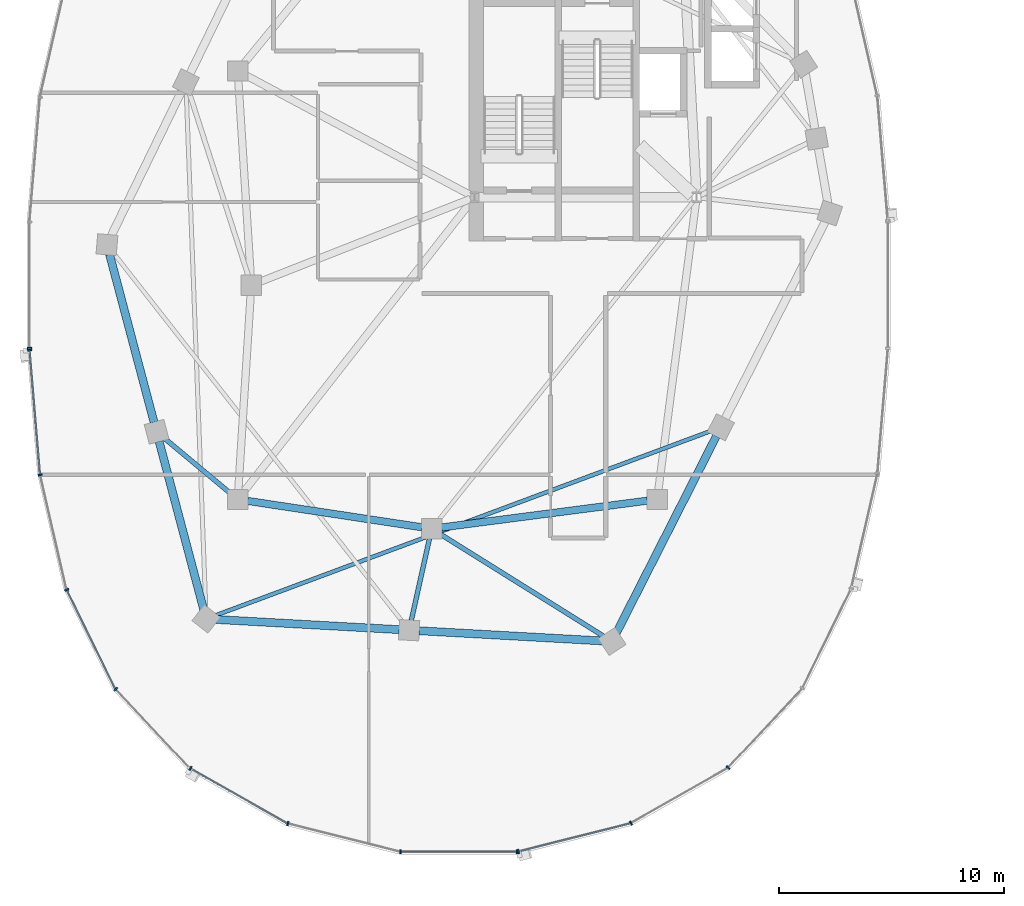
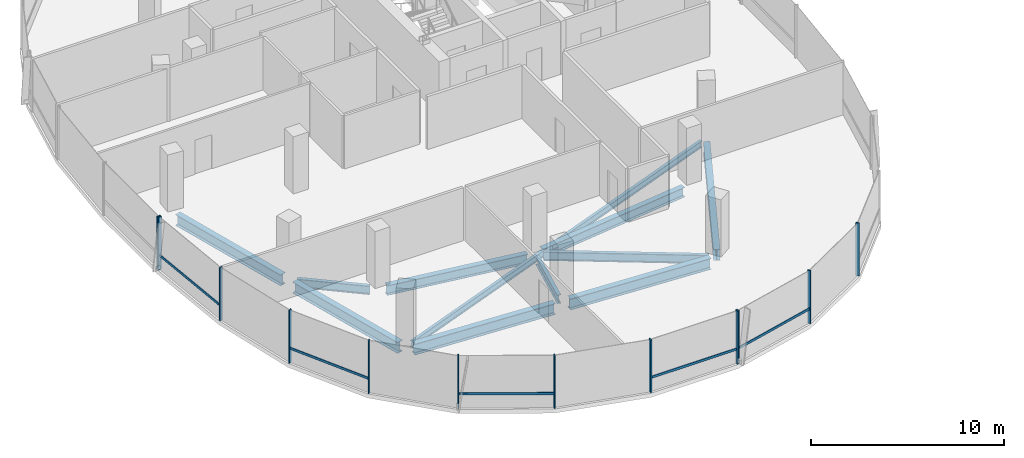
# One storey, part 3 of 25: 17 members, 11 beams, 3 elements without a shape of their own.
"""IFC4 building model written with IfcOpenShell, lengths in metres."""

from ifc_helpers import new_model, si_unit, direction, frame, origin, origin_2d, place, context, subcontext, project, spatial, rectangle, i_section, extrude, material, material_profile, profile_set, type_object, element, aggregate, save


model = new_model("IFC4")

# Units and contexts
model_context = context("Model", 3, precision=1e-05, world=origin(), true_north=direction((0.0, 1.0)))
body_context = subcontext(model_context, "Body", "Model", "MODEL_VIEW")
ifc_project = project(units=[si_unit("LENGTHUNIT", "METRE"), si_unit("AREAUNIT", "SQUARE_METRE"), si_unit("VOLUMEUNIT", "CUBIC_METRE"), si_unit("PLANEANGLEUNIT", "RADIAN"), si_unit("MASSUNIT", "GRAM", prefix="KILO"), si_unit("THERMODYNAMICTEMPERATUREUNIT", "KELVIN"), si_unit("POWERUNIT", "WATT")], contexts=[model_context])

# Site, building, storey
site_placement = place(None, origin())
site = spatial("IfcSite", under=ifc_project, at=site_placement, CompositionType="ELEMENT")
building_placement = place(site_placement, origin())
building = spatial("IfcBuilding", under=site, at=building_placement, Name="Cundina Bronze Exchange", CompositionType="ELEMENT")
storey_placement = place(building_placement, frame((0.0, 0.0, 206.199951171875)))
storey = spatial("IfcBuildingStorey", under=building, at=storey_placement, Name="L54", CompositionType="ELEMENT", Elevation=206.199951171875)

# Beams
ifc_material_1 = material(Name="Steel ASTM A992 Grade 50", Category="steel")
ifc_material_profile_1 = material_profile(ifc_material_1, i_section(OverallWidth=0.2119140625, OverallDepth=0.5439453125, WebThickness=0.01318359375, FlangeThickness=0.021240234375, FilletRadius=0.013916015625, at=origin_2d()), Name="W21X83", Category="steel")
ifc_profile_set_1 = profile_set([ifc_material_profile_1], Name="Steel ASTM A992 Grade 50")
beam_type_1 = type_object("IfcBeamType", Name="BM-FLR-W21A", PredefinedType="BEAM", material=ifc_profile_set_1)
beam_1_placement = place(storey_placement, frame((-42.136474609375, -9.219482421875, -0.531982421875), z_axis=(-0.768247540987, 0.640152884683, 0.0), x_axis=(-0.640152884683, -0.768247540987, 0.0)))
element("IfcBeam", 1, at=beam_1_placement, inside=storey, type_object=beam_type_1, Name="L54 Leg W Radial Floor Beam 09", PredefinedType="BEAM", context=body_context, shape_type="SweptSolid", body=[
    extrude(i_section(OverallWidth=0.2119140625, OverallDepth=0.5439453125, WebThickness=0.01318359375, FlangeThickness=0.021240234375, FilletRadius=0.013916015625, at=origin_2d()), origin(), (0.0, 0.0, 1.0), 3.81005859375),
])
beam_2_placement = place(storey_placement, frame((-33.294921875, -11.2275390625, -0.531982421875), z_axis=(-0.216958151571, -0.976180905605, 0.0), x_axis=(0.976180905605, -0.216958151571, 0.0)))
element("IfcBeam", 2, at=beam_2_placement, inside=storey, type_object=beam_type_1, Name="L54 Leg W Radial Floor Beam 11", PredefinedType="BEAM", context=body_context, shape_type="SweptSolid", body=[
    extrude(i_section(OverallWidth=0.2119140625, OverallDepth=0.5439453125, WebThickness=0.01318359375, FlangeThickness=0.021240234375, FilletRadius=0.013916015625, at=origin_2d()), origin(), (0.0, 0.0, 1.0), 3.733642578125),
])
beam_3_placement = place(storey_placement, frame((-32.82861328125, -11.031982421875, -0.531982421875), z_axis=(0.847995098703, -0.530004068452, 0.0), x_axis=(0.530004068452, 0.847995098703, 0.0)))
element("IfcBeam", 3, at=beam_3_placement, inside=storey, type_object=beam_type_1, Name="L54 Leg W Radial Floor Beam 12", PredefinedType="BEAM", context=body_context, shape_type="SweptSolid", body=[
    extrude(i_section(OverallWidth=0.2119140625, OverallDepth=0.5439453125, WebThickness=0.01318359375, FlangeThickness=0.021240234375, FilletRadius=0.013916015625, at=origin_2d()), origin(), (0.0, 0.0, 1.0), 8.55810546875),
])
ifc_material_profile_2 = material_profile(ifc_material_1, i_section(OverallWidth=0.178955078125, OverallDepth=0.409912109375, WebThickness=0.0087890625, FlangeThickness=0.014404296875, FilletRadius=0.010986328125, at=origin_2d()), Name="W16X45", Category="steel")
ifc_profile_set_2 = profile_set([ifc_material_profile_2], Name="Steel ASTM A992 Grade 50")
beam_type_2 = type_object("IfcBeamType", Name="BM-JST-W16", PredefinedType="JOIST", material=ifc_profile_set_2)
beam_4_placement = place(storey_placement, frame((-42.78955078125, -14.647216796875, -0.46484375), z_axis=(0.937127927239, 0.348986028358, 0.0), x_axis=(-0.348986028358, 0.937127927239, 0.0)))
element("IfcBeam", 4, at=beam_4_placement, inside=storey, type_object=beam_type_2, Name="L54 Leg W Lobe Floor Joist 10-13", PredefinedType="JOIST", context=body_context, shape_type="SweptSolid", body=[
    extrude(i_section(OverallWidth=0.178955078125, OverallDepth=0.409912109375, WebThickness=0.0087890625, FlangeThickness=0.014404296875, FilletRadius=0.010986328125, at=origin_2d()), origin(), (0.0, 0.0, 1.0), 23.48046875),
])
ifc_material_profile_3 = material_profile(ifc_material_1, i_section(OverallWidth=0.324951171875, OverallDepth=0.615966796875, WebThickness=0.013916015625, FlangeThickness=0.021484375, FilletRadius=0.01611328125, at=origin_2d()), Name="W24X117", Category="steel")
ifc_profile_set_3 = profile_set([ifc_material_profile_3], Name="Steel ASTM A992 Grade 50")
beam_type_3 = type_object("IfcBeamType", Name="BM-RING-W24", PredefinedType="USERDEFINED", material=ifc_profile_set_3)
beam_5_placement = place(storey_placement, frame((-41.366943359375, -9.5654296875, -0.56787109375), z_axis=(0.988764903598, -0.149478979839, 0.0), x_axis=(0.149478979839, 0.988764903598, 0.0)))
element("IfcBeam", 5, at=beam_5_placement, inside=storey, type_object=beam_type_3, Name="L54 W Inner Structural Ring Girder 05", ObjectType="GIRDER", PredefinedType="USERDEFINED", context=body_context, shape_type="SweptSolid", body=[
    extrude(i_section(OverallWidth=0.324951171875, OverallDepth=0.615966796875, WebThickness=0.013916015625, FlangeThickness=0.021484375, FilletRadius=0.01611328125, at=origin_2d()), origin(), (0.0, 0.0, 1.0), 7.82177734375),
])
beam_6_placement = place(storey_placement, frame((-32.765625, -10.743408203125, -0.56787109375), z_axis=(0.991656498582, 0.128908451316, 0.0), x_axis=(-0.128908451316, 0.991656498582, 0.0)))
element("IfcBeam", 6, at=beam_6_placement, inside=storey, type_object=beam_type_3, Name="L54 W Inner Structural Ring Girder 06", ObjectType="GIRDER", PredefinedType="USERDEFINED", context=body_context, shape_type="SweptSolid", body=[
    extrude(i_section(OverallWidth=0.324951171875, OverallDepth=0.615966796875, WebThickness=0.013916015625, FlangeThickness=0.021484375, FilletRadius=0.01611328125, at=origin_2d()), origin(), (0.0, 0.0, 1.0), 9.208251953125),
])
ifc_material_profile_4 = material_profile(ifc_material_1, i_section(OverallWidth=0.35498046875, OverallDepth=0.695068359375, WebThickness=0.015380859375, FlangeThickness=0.02490234375, FilletRadius=0.01806640625, at=origin_2d()), Name="W27X146", Category="steel")
ifc_profile_set_4 = profile_set([ifc_material_profile_4], Name="Steel ASTM A992 Grade 50")
beam_type_4 = type_object("IfcBeamType", Name="BM-RING-W27", PredefinedType="USERDEFINED", material=ifc_profile_set_4)
for number, where, z_axis, x_axis, name in (
    (7, (-47.48779296875, 1.376708984375, -0.607421875), (0.256211934474, -0.966620631185, 0.0), (0.966620631185, 0.256211934474, 0.0), "L54 W Perimeter Ring Girder 08"),
    (8, (-45.287841796875, -6.92333984375, -0.607421875), (0.256211934474, -0.966620631185, 0.0), (0.966620631185, 0.256211934474, 0.0), "L54 W Perimeter Ring Girder 09"),
):
    element("IfcBeam", number, at=place(storey_placement, frame(where, z_axis=z_axis, x_axis=x_axis)), inside=storey, type_object=beam_type_4, Name=name, ObjectType="GIRDER", PredefinedType="USERDEFINED", context=body_context, shape_type="SweptSolid", body=[
        extrude(i_section(OverallWidth=0.35498046875, OverallDepth=0.695068359375, WebThickness=0.015380859375, FlangeThickness=0.02490234375, FilletRadius=0.01806640625, at=origin_2d()), origin(), (0.0, 0.0, 1.0), 7.710693359375),
    ])
for number, where, z_axis, x_axis, name in (
    (9, (-42.7626953125, -14.82421875, -0.607421875), (0.998460353205, -0.055470019623, 0.0), (0.055470019623, 0.998460353205, 0.0), "L54 W Perimeter Ring Girder 10"),
    (10, (-33.7626953125, -15.32421875, -0.607421875), (0.998460353205, -0.055470019623, 0.0), (0.055470019623, 0.998460353205, 0.0), "L54 W Perimeter Ring Girder 11"),
):
    element("IfcBeam", number, at=place(storey_placement, frame(where, z_axis=z_axis, x_axis=x_axis)), inside=storey, type_object=beam_type_4, Name=name, ObjectType="GIRDER", PredefinedType="USERDEFINED", context=body_context, shape_type="SweptSolid", body=[
        extrude(i_section(OverallWidth=0.35498046875, OverallDepth=0.695068359375, WebThickness=0.015380859375, FlangeThickness=0.02490234375, FilletRadius=0.01806640625, at=origin_2d()), origin(), (0.0, 0.0, 1.0), 8.137939453125),
    ])
beam_7_placement = place(storey_placement, frame((-25.001708984375, -15.409423828125, -0.607421875), z_axis=(0.452846871434, 0.891588308039, 0.0), x_axis=(-0.891588308039, 0.452846871434, 0.0)))
element("IfcBeam", 11, at=beam_7_placement, inside=storey, type_object=beam_type_4, Name="L54 W Perimeter Ring Girder 12", ObjectType="GIRDER", PredefinedType="USERDEFINED", context=body_context, shape_type="SweptSolid", body=[
    extrude(i_section(OverallWidth=0.35498046875, OverallDepth=0.695068359375, WebThickness=0.015380859375, FlangeThickness=0.02490234375, FilletRadius=0.01806640625, at=origin_2d()), origin(), (0.0, 0.0, 1.0), 9.779052734375),
])

# Curtain wall, member
ifc_material_2 = material(Name="Anodised Bronze Aluminium 6063-T6", Category="aluminium")
curtain_wall_type = type_object("IfcCurtainWallType", Name="CWS-UPP-OFF", PredefinedType="NOTDEFINED", material=ifc_material_2)
curtain_wall_1_placement = place(storey_placement, origin())
curtain_wall_1 = element("IfcCurtainWall", 12, at=curtain_wall_1_placement, inside=storey, type_object=curtain_wall_type, Name="L54 CW-05 Curtain Wall Run CWR-L54-W2", PredefinedType="NOTDEFINED")
ifc_material_profile_5 = material_profile(ifc_material_2, rectangle(XDim=0.070068359375, YDim=0.18994140625, at=origin_2d()), Name="AL70X190", Category="aluminium")
ifc_profile_set_5 = profile_set([ifc_material_profile_5], Name="Anodised Bronze Aluminium 6063-T6")
member_type_1 = type_object("IfcMemberType", Name="CWM-MUL-190", PredefinedType="MULLION", material=ifc_profile_set_5)
member_1_placement = place(storey_placement, frame((-51.033935546875, -2.794921875, 0.0), z_axis=(0.0, 0.0, 1.0), x_axis=(0.0, -1.0, 0.0)))
member_1 = element("IfcMember", 13, at=member_1_placement, type_object=member_type_1, Name="CW-05 End Mullion", PredefinedType="MULLION", context=body_context, shape_type="SweptSolid", body=[
    extrude(rectangle(XDim=0.070068359375, YDim=0.18994140625, at=origin_2d()), origin(), (0.0, 0.0, 1.0), 3.340087890625),
])
aggregate(curtain_wall_1, [member_1])

# Curtain wall, members
curtain_wall_2_placement = place(storey_placement, origin())
curtain_wall_2 = element("IfcCurtainWall", 14, at=curtain_wall_2_placement, inside=storey, type_object=curtain_wall_type, Name="L54 CW-05 Curtain Wall Run CWR-L54-W3", PredefinedType="NOTDEFINED")
member_2_placement = place(storey_placement, frame((-51.0302734375, -2.88330078125, 0.0), z_axis=(0.0, 0.0, 1.0), x_axis=(0.083677843332, -0.99649285925, 0.0)))
member_2 = element("IfcMember", 15, at=member_2_placement, type_object=member_type_1, Name="CW-05 Mullion 1", PredefinedType="MULLION", context=body_context, shape_type="SweptSolid", body=[
    extrude(rectangle(XDim=0.070068359375, YDim=0.18994140625, at=origin_2d()), origin(), (0.0, 0.0, 1.0), 3.340087890625),
])
member_3_placement = place(storey_placement, frame((-50.56005859375, -8.4111328125, 0.0), z_axis=(0.0, 0.0, 1.0), x_axis=(0.223250116011, -0.974761194191, 0.0)))
member_3 = element("IfcMember", 16, at=member_3_placement, type_object=member_type_1, Name="CW-05 Mullion 2", PredefinedType="MULLION", context=body_context, shape_type="SweptSolid", body=[
    extrude(rectangle(XDim=0.070068359375, YDim=0.18994140625, at=origin_2d()), origin(), (0.0, 0.0, 1.0), 3.340087890625),
])
member_4_placement = place(storey_placement, frame((-49.38427734375, -13.50732421875, 0.0), z_axis=(0.0, 0.0, 1.0), x_axis=(0.440566004113, -0.897720221461, 0.0)))
member_4 = element("IfcMember", 17, at=member_4_placement, type_object=member_type_1, Name="CW-05 Mullion 3", PredefinedType="MULLION", context=body_context, shape_type="SweptSolid", body=[
    extrude(rectangle(XDim=0.070068359375, YDim=0.18994140625, at=origin_2d()), origin(), (0.0, 0.0, 1.0), 3.340087890625),
])
member_5_placement = place(storey_placement, frame((-47.209716796875, -17.91796875, 0.0), z_axis=(0.0, 0.0, 1.0), x_axis=(0.684292606175, -0.729207535023, 0.0)))
member_5 = element("IfcMember", 18, at=member_5_placement, type_object=member_type_1, Name="CW-05 Mullion 4", PredefinedType="MULLION", context=body_context, shape_type="SweptSolid", body=[
    extrude(rectangle(XDim=0.070068359375, YDim=0.18994140625, at=origin_2d()), origin(), (0.0, 0.0, 1.0), 3.340087890625),
])
member_6_placement = place(storey_placement, frame((-43.899658203125, -21.43115234375, 0.0), z_axis=(0.0, 0.0, 1.0), x_axis=(0.86958112538, -0.493790103568, 0.0)))
member_6 = element("IfcMember", 19, at=member_6_placement, type_object=member_type_1, Name="CW-05 Mullion 5", PredefinedType="MULLION", context=body_context, shape_type="SweptSolid", body=[
    extrude(rectangle(XDim=0.070068359375, YDim=0.18994140625, at=origin_2d()), origin(), (0.0, 0.0, 1.0), 3.340087890625),
])
member_7_placement = place(storey_placement, frame((-39.577392578125, -23.87548828125, 0.0), z_axis=(0.0, 0.0, 1.0), x_axis=(0.969744325821, -0.244122802168, 0.0)))
member_7 = element("IfcMember", 20, at=member_7_placement, type_object=member_type_1, Name="CW-05 Mullion 6", PredefinedType="MULLION", context=body_context, shape_type="SweptSolid", body=[
    extrude(rectangle(XDim=0.070068359375, YDim=0.18994140625, at=origin_2d()), origin(), (0.0, 0.0, 1.0), 3.340087890625),
])
member_8_placement = place(storey_placement, frame((-34.580078125, -25.125, 0.0), z_axis=(0.0, 0.0, 1.0), x_axis=(1.0, 0.0, 0.0)))
member_8 = element("IfcMember", 21, at=member_8_placement, type_object=member_type_1, Name="CW-05 Mullion 7", PredefinedType="MULLION", context=body_context, shape_type="SweptSolid", body=[
    extrude(rectangle(XDim=0.070068359375, YDim=0.18994140625, at=origin_2d()), origin(), (0.0, 0.0, 1.0), 3.340087890625),
])
member_9_placement = place(storey_placement, frame((-29.419921875, -25.125, 0.0), z_axis=(0.0, 0.0, 1.0), x_axis=(1.0, 0.0, 0.0)))
member_9 = element("IfcMember", 22, at=member_9_placement, type_object=member_type_1, Name="CW-05 End Mullion", PredefinedType="MULLION", context=body_context, shape_type="SweptSolid", body=[
    extrude(rectangle(XDim=0.070068359375, YDim=0.18994140625, at=origin_2d()), origin(), (0.0, 0.0, 1.0), 3.340087890625),
])

curtain_wall_3_placement = place(storey_placement, origin())
curtain_wall_3 = element("IfcCurtainWall", 23, at=curtain_wall_3_placement, inside=storey, type_object=curtain_wall_type, Name="L54 CW-05 Curtain Wall Run CWR-L54-W4", PredefinedType="NOTDEFINED")
member_10_placement = place(storey_placement, frame((-29.3515625, -25.116455078125, 0.0), z_axis=(0.0, 0.0, 1.0), x_axis=(0.969744325821, 0.244122802168, 0.0)))
member_10 = element("IfcMember", 24, at=member_10_placement, type_object=member_type_1, Name="CW-05 Mullion 1", PredefinedType="MULLION", context=body_context, shape_type="SweptSolid", body=[
    extrude(rectangle(XDim=0.070068359375, YDim=0.18994140625, at=origin_2d()), origin(), (0.0, 0.0, 1.0), 3.340087890625),
])
member_11_placement = place(storey_placement, frame((-24.361083984375, -23.850830078125, 0.0), z_axis=(0.0, 0.0, 1.0), x_axis=(0.86958112538, 0.493790103568, 0.0)))
member_11 = element("IfcMember", 25, at=member_11_placement, type_object=member_type_1, Name="CW-05 Mullion 2", PredefinedType="MULLION", context=body_context, shape_type="SweptSolid", body=[
    extrude(rectangle(XDim=0.070068359375, YDim=0.18994140625, at=origin_2d()), origin(), (0.0, 0.0, 1.0), 3.340087890625),
])
member_12_placement = place(storey_placement, frame((-20.05126953125, -21.392578125, 0.0), z_axis=(0.0, 0.0, 1.0), x_axis=(0.684292606175, 0.729207535023, 0.0)))
member_12 = element("IfcMember", 26, at=member_12_placement, type_object=member_type_1, Name="CW-05 Mullion 3", PredefinedType="MULLION", context=body_context, shape_type="SweptSolid", body=[
    extrude(rectangle(XDim=0.070068359375, YDim=0.18994140625, at=origin_2d()), origin(), (0.0, 0.0, 1.0), 3.340087890625),
])

# Member
ifc_material_profile_6 = material_profile(ifc_material_2, rectangle(XDim=0.06494140625, YDim=0.14990234375, at=origin_2d()), Name="AL65X150", Category="aluminium")
ifc_profile_set_6 = profile_set([ifc_material_profile_6], Name="Anodised Bronze Aluminium 6063-T6")
member_type_2 = type_object("IfcMemberType", Name="CWM-TRN-150", PredefinedType="USERDEFINED", material=ifc_profile_set_6)
member_13_placement = place(storey_placement, frame((-51.027099609375, -2.921630859375, 0.920166015625), z_axis=(0.083740331158, -0.996487610027, 0.0), x_axis=(0.996487610027, 0.083740331158, 0.0)))
member_13 = element("IfcMember", 27, at=member_13_placement, type_object=member_type_2, Name="CW-05 Spandrel Transom 1", ObjectType="TRANSOM", PredefinedType="USERDEFINED", context=body_context, shape_type="SweptSolid", body=[
    extrude(rectangle(XDim=0.06494140625, YDim=0.14990234375, at=origin_2d()), origin(), (0.0, 0.0, 1.0), 5.466552734375),
])

member_14_placement = place(storey_placement, frame((-49.3671875, -13.5419921875, 0.920166015625), z_axis=(0.440483110889, -0.897760897467, 0.0), x_axis=(0.897760897467, 0.440483110889, 0.0)))
member_14 = element("IfcMember", 28, at=member_14_placement, type_object=member_type_2, Name="CW-05 Spandrel Transom 3", ObjectType="TRANSOM", PredefinedType="USERDEFINED", context=body_context, shape_type="SweptSolid", body=[
    extrude(rectangle(XDim=0.06494140625, YDim=0.14990234375, at=origin_2d()), origin(), (0.0, 0.0, 1.0), 4.855224609375),
])

member_15_placement = place(storey_placement, frame((-43.8662109375, -21.4501953125, 0.920166015625), z_axis=(0.869573748083, -0.493803095013, 0.0), x_axis=(0.493803095013, 0.869573748083, 0.0)))
member_15 = element("IfcMember", 29, at=member_15_placement, type_object=member_type_2, Name="CW-05 Spandrel Transom 5", ObjectType="TRANSOM", PredefinedType="USERDEFINED", context=body_context, shape_type="SweptSolid", body=[
    extrude(rectangle(XDim=0.06494140625, YDim=0.14990234375, at=origin_2d()), origin(), (0.0, 0.0, 1.0), 4.900146484375),
])

member_16_placement = place(storey_placement, frame((-34.54150390625, -25.125, 0.920166015625), z_axis=(1.0, 0.0, 0.0), x_axis=(0.0, 1.0, 0.0)))
member_16 = element("IfcMember", 30, at=member_16_placement, type_object=member_type_2, Name="CW-05 Spandrel Transom 7", ObjectType="TRANSOM", PredefinedType="USERDEFINED", context=body_context, shape_type="SweptSolid", body=[
    extrude(rectangle(XDim=0.06494140625, YDim=0.14990234375, at=origin_2d()), origin(), (0.0, 0.0, 1.0), 5.0830078125),
])

aggregate(curtain_wall_2, [member_2, member_13, member_3, member_4, member_14, member_5, member_6, member_15, member_7, member_8, member_9, member_16])

member_17_placement = place(storey_placement, frame((-29.314208984375, -25.107177734375, 0.920166015625), z_axis=(0.969725738797, 0.244196624699, 0.0), x_axis=(-0.244196624699, 0.969725738797, 0.0)))
member_17 = element("IfcMember", 31, at=member_17_placement, type_object=member_type_2, Name="CW-05 Spandrel Transom 1", ObjectType="TRANSOM", PredefinedType="USERDEFINED", context=body_context, shape_type="SweptSolid", body=[
    extrude(rectangle(XDim=0.06494140625, YDim=0.14990234375, at=origin_2d()), origin(), (0.0, 0.0, 1.0), 5.082763671875),
])

aggregate(curtain_wall_3, [member_10, member_17, member_11, member_12])

save(model, "model.ifc")
